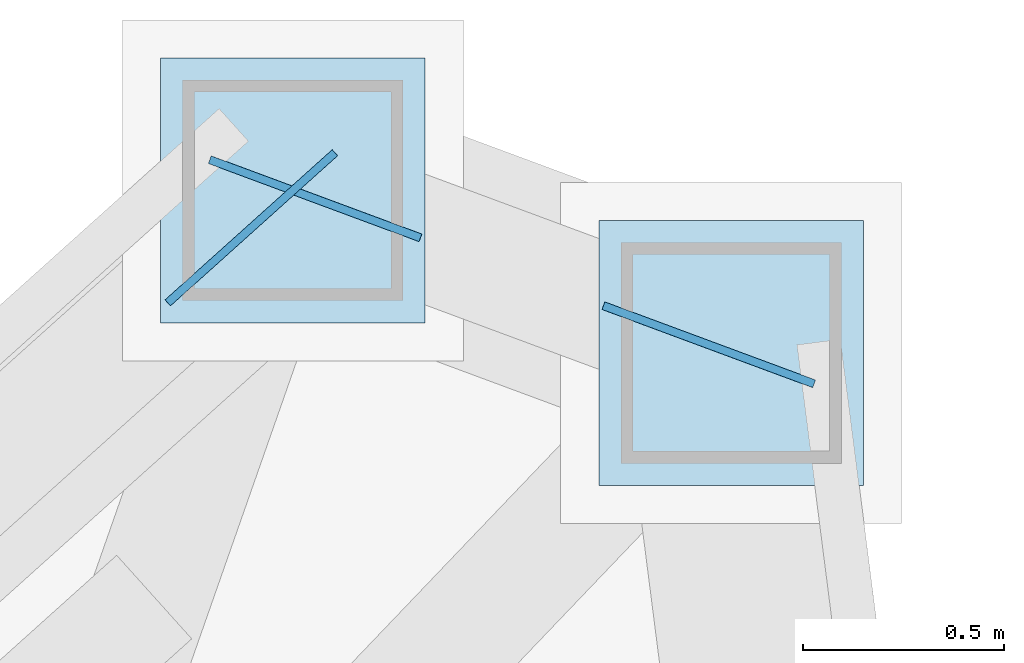
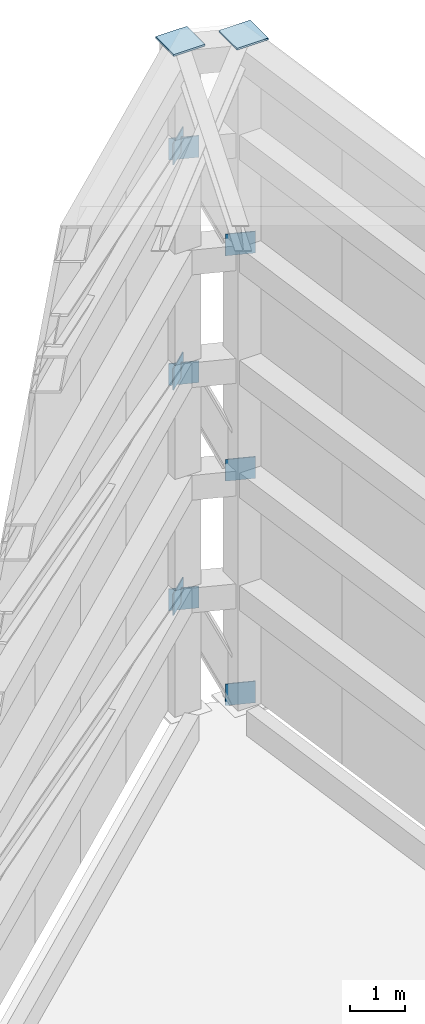
# One storey, part 7 of 9: 11 plates.
"""IFC4 building model written with IfcOpenShell, lengths in metres."""

from ifc_helpers import new_model, si_unit, direction, frame, origin, origin_2d, place, context, subcontext, project, spatial, rectangle, extrude, source, transform, mapped, material, type_object, element, save


model = new_model("IFC4")

# Units and contexts
model_context = context("Model", 3, precision=1e-05, world=origin(), true_north=direction((0.0, 1.0)))
body_context = subcontext(model_context, "Body", "Model", "MODEL_VIEW")
ifc_project = project(units=[si_unit("LENGTHUNIT", "METRE"), si_unit("AREAUNIT", "SQUARE_METRE"), si_unit("VOLUMEUNIT", "CUBIC_METRE"), si_unit("PLANEANGLEUNIT", "RADIAN"), si_unit("MASSUNIT", "GRAM", prefix="KILO")], contexts=[model_context])

# Site, building, storey
site_placement = place(None, origin())
site = spatial("IfcSite", under=ifc_project, at=site_placement, CompositionType="ELEMENT")
building_placement = place(site_placement, origin())
building = spatial("IfcBuilding", under=site, at=building_placement, Name="Olszyna Solenne Hotel", CompositionType="ELEMENT")
storey_placement = place(building_placement, frame((0.0, 0.0, 295.0)))
storey = spatial("IfcBuildingStorey", under=building, at=storey_placement, Name="Roof Crown", CompositionType="ELEMENT", Elevation=295.0)

# Plates
ifc_material_1 = material(Name="Steel S460M", Category="steel")
plate_type_1 = type_object("IfcPlateType", Name="GP-CAP1", PredefinedType="USERDEFINED", material=ifc_material_1)
shared_shape_1 = source(origin(), body_context, "Body", "SweptSolid", [
    extrude(rectangle(XDim=0.659912109375, YDim=0.659912109375, at=origin_2d()), origin(), (0.0, 0.0, 1.0), 0.0400390625),
])
for number, where, z_axis, x_axis, name in (
    (1, (47.73046875, 51.541015625, 14.719970703125), (0.0, 0.0, 1.0), (1.0, 0.0, 0.0), "Hollow section end-cap plate GP-CAP1 CP-CFTOP-1-2"),
    (2, (46.6376953125, 51.9462890625, 14.719970703125), (0.0, 0.0, 1.0), (1.0, 0.0, 0.0), "Hollow section end-cap plate GP-CAP1 CP-CFTOP-2-2"),
):
    element("IfcPlate", number, at=place(storey_placement, frame(where, z_axis=z_axis, x_axis=x_axis)), inside=storey, type_object=plate_type_1, Name=name, ObjectType="GUSSET_PLATE", PredefinedType="USERDEFINED", context=body_context, shape_type="MappedRepresentation", body=[
        mapped(shared_shape_1, transform((0.0, 0.0, 0.0), x_axis=(1.0, 0.0, 0.0), y_axis=(0.0, 1.0, 0.0), z_axis=(0.0, 0.0, 1.0), scale=1.0)),
    ])
ifc_material_2 = material(Name="Steel S355J2", Category="steel")
plate_type_2 = type_object("IfcPlateType", Name="GP-ND2", PredefinedType="USERDEFINED", material=ifc_material_2)
shared_shape_2 = source(origin(), body_context, "Body", "SweptSolid", [
    extrude(rectangle(XDim=0.56005859375, YDim=0.02001953125, at=origin_2d()), origin(), (0.0, 0.0, 1.0), 0.47998046875),
])
for number, where, z_axis, x_axis, name in (
    (3, (47.674560546875, 51.5615234375, -0.09326171875), (0.0, 0.0, 1.0), (-0.937585819058, 0.347753981862, 0.0), "Brace end connection gusset plate GP-ND2 EP-CF-BR-T1-1-1"),
    (4, (46.693359375, 51.925537109375, 2.13330078125), (0.0, 0.0, 1.0), (-0.937585819058, 0.347753981862, 0.0), "Brace end connection gusset plate GP-ND2 EP-CF-BR-T1-1-2"),
    (5, (46.5341796875, 51.853271484375, 2.2763671875), (0.0, 0.0, 1.0), (-0.74396176791, -0.668222184522, 0.0), "Brace end connection gusset plate GP-ND2 EP-CF-BR-T2-1-1"),
    (6, (47.6748046875, 51.5615234375, 4.886962890625), (0.0, 0.0, 1.0), (-0.937585819058, 0.347753981862, 0.0), "Brace end connection gusset plate GP-ND2 EP-CF-BR-T3-1-1"),
    (7, (46.693115234375, 51.925537109375, 7.133056640625), (0.0, 0.0, 1.0), (-0.937585819058, 0.347753981862, 0.0), "Brace end connection gusset plate GP-ND2 EP-CF-BR-T3-1-2"),
    (8, (46.5341796875, 51.853271484375, 7.2763671875), (0.0, 0.0, 1.0), (-0.74396176791, -0.668222184522, 0.0), "Brace end connection gusset plate GP-ND2 EP-CF-BR-T4-1-1"),
    (9, (47.6748046875, 51.5615234375, 9.886962890625), (0.0, 0.0, 1.0), (-0.937585819058, 0.347753981862, 0.0), "Brace end connection gusset plate GP-ND2 EP-CF-BR-T5-1-1"),
    (10, (46.693115234375, 51.925537109375, 12.133056640625), (0.0, 0.0, 1.0), (-0.937585819058, 0.347753981862, 0.0), "Brace end connection gusset plate GP-ND2 EP-CF-BR-T5-1-2"),
    (11, (46.533935546875, 51.85302734375, 12.272705078125), (0.0, 0.0, 1.0), (-0.74396176791, -0.668222184522, 0.0), "Brace end connection gusset plate GP-ND2 EP-CF-BR-T6-1-1"),
):
    element("IfcPlate", number, at=place(storey_placement, frame(where, z_axis=z_axis, x_axis=x_axis)), inside=storey, type_object=plate_type_2, Name=name, ObjectType="GUSSET_PLATE", PredefinedType="USERDEFINED", context=body_context, shape_type="MappedRepresentation", body=[
        mapped(shared_shape_2, transform((0.0, 0.0, 0.0), x_axis=(1.0, 0.0, 0.0), y_axis=(0.0, 1.0, 0.0), z_axis=(0.0, 0.0, 1.0), scale=1.0)),
    ])

save(model, "model.ifc")
